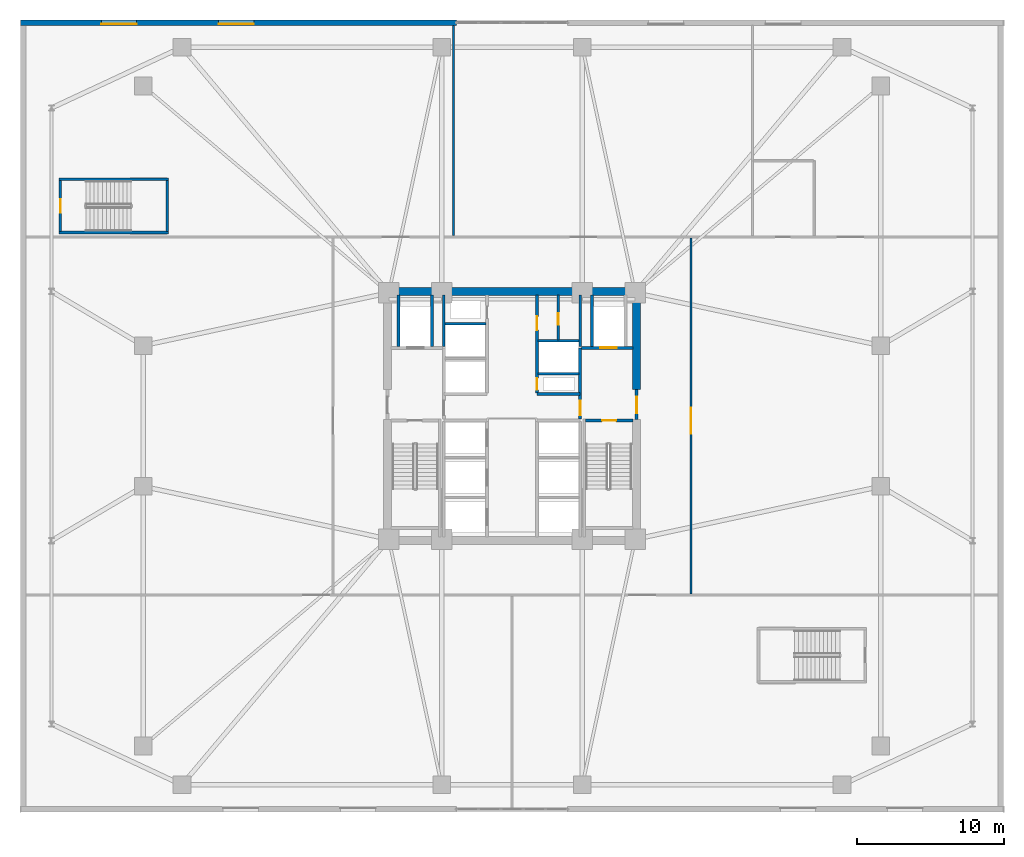
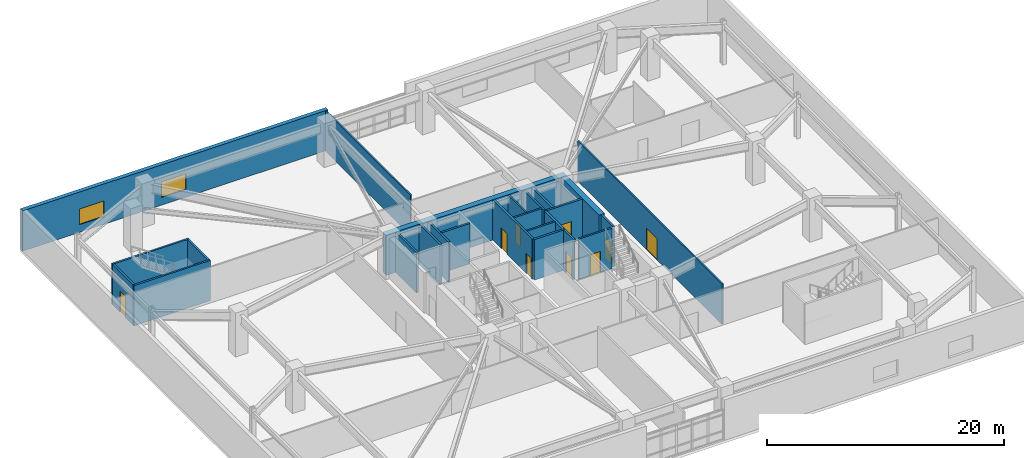
# One storey, part 13 of 21: 24 walls, 9 doors, 2 windows, 11 openings.
"""IFC4 building model written with IfcOpenShell, lengths in metres."""

from ifc_helpers import new_model, si_unit, direction, frame, frame_2d, origin, place, context, subcontext, project, spatial, rectangle, extrude, material, layer, layer_set, type_object, element, fill, save


model = new_model("IFC4")

# Units and contexts
model_context = context("Model", 3, precision=1e-05, world=origin(), true_north=direction((0.0, 1.0)))
body_context = subcontext(model_context, "Body", "Model", "MODEL_VIEW")
ifc_project = project(units=[si_unit("LENGTHUNIT", "METRE"), si_unit("AREAUNIT", "SQUARE_METRE"), si_unit("VOLUMEUNIT", "CUBIC_METRE"), si_unit("PLANEANGLEUNIT", "RADIAN"), si_unit("MASSUNIT", "GRAM", prefix="KILO")], contexts=[model_context])

# Site, building, storey
site_placement = place(None, origin())
site = spatial("IfcSite", under=ifc_project, at=site_placement, CompositionType="ELEMENT")
building_placement = place(site_placement, origin())
building = spatial("IfcBuilding", under=site, at=building_placement, Name="Cairnveth Concourse Tower", CompositionType="ELEMENT")
storey_placement = place(building_placement, frame((0.0, 0.0, 14.5)))
storey = spatial("IfcBuildingStorey", under=building, at=storey_placement, Name="L03", CompositionType="ELEMENT", Elevation=14.5)

# Wall, opening, door
ifc_material_1 = material(Name="Gypsum Plasterboard Partition", Category="gypsum")
ifc_layer_1 = layer(ifc_material_1, 0.159912109375)
ifc_layer_set_1 = layer_set([ifc_layer_1], Name="Gypsum Plasterboard Partition")
wall_type_1 = type_object("IfcWallType", Name="ACOUSTIC PARTY WALL 180", PredefinedType="PARTITIONING", material=ifc_layer_set_1)
wall_1_placement = place(storey_placement, frame((55.14990234375, 44.195068359375, 0.0), z_axis=(0.0, 0.0, 1.0), x_axis=(0.0, 1.0, 0.0)))
wall_1 = element("IfcWall", 1, at=wall_1_placement, inside=storey, type_object=wall_type_1, Name="Interior Wall IW-L03-037", PredefinedType="PARTITIONING", context=body_context, shape_type="SweptSolid", body=[
    extrude(rectangle(XDim=3.044921875, YDim=0.159912109375, at=frame_2d((1.5224609375, 0.0))), origin(), (0.0, 0.0, 1.0), 4.14990234375),
])
opening_1_placement = place(wall_1_placement, frame((1.02490234375, 0.0, 0.0)))
opening_1 = element("IfcOpeningElement", 2, at=opening_1_placement, cuts=wall_1, Name="Opening ID23", PredefinedType="OPENING", context=body_context, shape_type="SweptSolid", body=[
    extrude(rectangle(XDim=0.800048828125, YDim=2.10009765625, at=frame_2d((0.39990234375, 1.050048828125))), frame((0.0, 0.08984375, 0.0), z_axis=(0.0, -1.0, 0.0), x_axis=(1.0, 0.0, 0.0)), (0.0, 0.0, 1.0), 0.179931640625),
])
ifc_material_2 = material(Name="Steel Grade 350", Category="steel")
door_type_1 = type_object("IfcDoorType", Name="CORE SERVICE DOOR 800X2100", OperationType="NOTDEFINED", PredefinedType="DOOR", material=ifc_material_2)
door_1_placement = place(opening_1_placement, origin())
door_1 = element("IfcDoor", 3, at=door_1_placement, inside=storey, type_object=door_type_1, Name="NE Linen Closet Door L03", OperationType="SINGLE_SWING_LEFT", OverallHeight=2.10009765625, OverallWidth=0.800048828125, PredefinedType="DOOR", context=body_context, shape_type="SweptSolid", body=[
    extrude(rectangle(XDim=0.800048828125, YDim=2.10009765625, at=frame_2d((0.39990234375, 1.050048828125))), frame((0.0, 0.02490234375, 0.0), z_axis=(0.0, -1.0, 0.0), x_axis=(1.0, 0.0, 0.0)), (0.0, 0.0, 1.0), 0.050048828125),
])
fill(opening_1, door_1)

# Walls
ifc_material_3 = material(Name="Concrete N80 (80 MPa)", Category="concrete")
ifc_layer_2 = layer(ifc_material_3, 0.550048828125)
ifc_layer_set_2 = layer_set([ifc_layer_2], Name="Concrete N80 (80 MPa)")
wall_type_2 = type_object("IfcWallType", Name="CORE SHEAR WALL 550", PredefinedType="SHEAR", material=ifc_layer_set_2)
wall_2_placement = place(storey_placement, frame((43.22509765625, 47.5, 0.0), z_axis=(0.0, 0.0, 1.0), x_axis=(1.0, 0.0, 0.0)))
element("IfcWall", 4, at=wall_2_placement, inside=storey, type_object=wall_type_2, Name="Core North Shear Wall L03", PredefinedType="SHEAR", context=body_context, shape_type="SweptSolid", body=[
    extrude(rectangle(XDim=17.5498046875, YDim=0.550048828125, at=frame_2d((8.77490234375, 0.0))), origin(), (0.0, 0.0, 1.0), 4.14990234375),
])
wall_3_placement = place(storey_placement, frame((60.5, 40.800048828125, 0.0), z_axis=(0.0, 0.0, 1.0), x_axis=(0.0, 1.0, 0.0)))
element("IfcWall", 5, at=wall_3_placement, inside=storey, type_object=wall_type_2, Name="Core East Shear Wall N L03", PredefinedType="SHEAR", context=body_context, shape_type="SweptSolid", body=[
    extrude(rectangle(XDim=6.43505859375, YDim=0.550048828125, at=frame_2d((3.217529296875, 0.0))), origin(), (0.0, 0.0, 1.0), 4.14990234375),
])
ifc_material_4 = material(Name="Concrete N50 (50 MPa)", Category="concrete")
ifc_layer_3 = layer(ifc_material_4, 0.179931640625)
ifc_layer_set_3 = layer_set([ifc_layer_3], Name="Concrete N50 (50 MPa)")
wall_type_3 = type_object("IfcWallType", Name="FIRE SHAFT WALL 180", PredefinedType="SOLIDWALL", material=ifc_layer_set_3)
wall_4_placement = place(storey_placement, frame((47.35009765625, 43.735107421875, 0.0), z_axis=(0.0, 0.0, 1.0), x_axis=(0.0, 1.0, 0.0)))
element("IfcWall", 6, at=wall_4_placement, inside=storey, type_object=wall_type_3, Name="Interior Wall IW-L03-031", PredefinedType="SOLIDWALL", context=body_context, shape_type="SweptSolid", body=[
    extrude(rectangle(XDim=3.5048828125, YDim=0.179931640625, at=frame_2d((1.75244140625, 0.0))), origin(), (0.0, 0.0, 1.0), 4.14990234375),
])
wall_5_placement = place(storey_placement, frame((47.425048828125, 45.280029296875, 0.0), z_axis=(0.0, 0.0, 1.0), x_axis=(1.0, 0.0, 0.0)))
element("IfcWall", 7, at=wall_5_placement, inside=storey, type_object=wall_type_3, Name="Interior Wall IW-L03-033", PredefinedType="SOLIDWALL", context=body_context, shape_type="SweptSolid", body=[
    extrude(rectangle(XDim=2.7900390625, YDim=0.179931640625, at=frame_2d((1.39501953125, 0.0))), origin(), (0.0, 0.0, 1.0), 4.14990234375),
])
wall_6_placement = place(storey_placement, frame((56.64990234375, 43.735107421875, 0.0), z_axis=(0.0, 0.0, 1.0), x_axis=(0.0, 1.0, 0.0)))
element("IfcWall", 8, at=wall_6_placement, inside=storey, type_object=wall_type_3, Name="Interior Wall IW-L03-034", PredefinedType="SOLIDWALL", context=body_context, shape_type="SweptSolid", body=[
    extrude(rectangle(XDim=3.5048828125, YDim=0.179931640625, at=frame_2d((1.75244140625, 0.0))), origin(), (0.0, 0.0, 1.0), 4.14990234375),
])
wall_7_placement = place(storey_placement, frame((53.784912109375, 41.8798828125, 0.0), z_axis=(0.0, 0.0, 1.0), x_axis=(1.0, 0.0, 0.0)))
element("IfcWall", 9, at=wall_7_placement, inside=storey, type_object=wall_type_3, Name="Interior Wall IW-L03-035", PredefinedType="SOLIDWALL", context=body_context, shape_type="SweptSolid", body=[
    extrude(rectangle(XDim=2.780029296875, YDim=0.179931640625, at=frame_2d((1.39013671875, 0.0))), origin(), (0.0, 0.0, 1.0), 4.14990234375),
])
wall_8_placement = place(storey_placement, frame((53.784912109375, 44.1201171875, 0.0), z_axis=(0.0, 0.0, 1.0), x_axis=(1.0, 0.0, 0.0)))
element("IfcWall", 10, at=wall_8_placement, inside=storey, type_object=wall_type_3, Name="Interior Wall IW-L03-036", PredefinedType="SOLIDWALL", context=body_context, shape_type="SweptSolid", body=[
    extrude(rectangle(XDim=2.7900390625, YDim=0.179931640625, at=frame_2d((1.39501953125, 0.0))), origin(), (0.0, 0.0, 1.0), 4.14990234375),
])

# Wall, opening, door
wall_9_placement = place(storey_placement, frame((57.0048828125, 38.68994140625, 0.0), z_axis=(0.0, 0.0, 1.0), x_axis=(1.0, 0.0, 0.0)))
wall_9 = element("IfcWall", 11, at=wall_9_placement, inside=storey, type_object=wall_type_3, Name="Stair ST-2 Shaft Wall NEAR L03", PredefinedType="SOLIDWALL", context=body_context, shape_type="SweptSolid", body=[
    extrude(rectangle(XDim=3.230224609375, YDim=0.179931640625, at=frame_2d((1.615234375, 0.0))), origin(), (0.0, 0.0, 1.0), 4.14990234375),
])
opening_2_placement = place(wall_9_placement, frame((1.139892578125, 0.0, 0.0)))
opening_2 = element("IfcOpeningElement", 12, at=opening_2_placement, cuts=wall_9, Name="Opening ID12", PredefinedType="OPENING", context=body_context, shape_type="SweptSolid", body=[
    extrude(rectangle(XDim=0.949951171875, YDim=2.14990234375, at=frame_2d((0.47509765625, 1.074951171875))), frame((0.0, 0.099853515625, 0.0), z_axis=(0.0, -1.0, 0.0), x_axis=(1.0, 0.0, 0.0)), (0.0, 0.0, 1.0), 0.199951171875),
])
door_type_2 = type_object("IfcDoorType", Name="FIRE STAIR DOOR 950X2150", OperationType="NOTDEFINED", PredefinedType="DOOR", material=ifc_material_2)
door_2_placement = place(opening_2_placement, origin())
door_2 = element("IfcDoor", 13, at=door_2_placement, inside=storey, type_object=door_type_2, Name="Stair ST-2 Fire Door L03", OperationType="SINGLE_SWING_RIGHT", OverallHeight=2.14990234375, OverallWidth=0.949951171875, PredefinedType="DOOR", context=body_context, shape_type="SweptSolid", body=[
    extrude(rectangle(XDim=0.949951171875, YDim=2.14990234375, at=frame_2d((0.47509765625, 1.074951171875))), frame((0.0, 0.02490234375, 0.0), z_axis=(0.0, -1.0, 0.0), x_axis=(1.0, 0.0, 0.0)), (0.0, 0.0, 1.0), 0.050048828125),
])
fill(opening_2, door_2)

wall_10_placement = place(storey_placement, frame((21.2099609375, 51.5849609375, 0.0), z_axis=(0.0, 0.0, 1.0), x_axis=(0.0, 1.0, 0.0)))
wall_10 = element("IfcWall", 14, at=wall_10_placement, inside=storey, type_object=wall_type_3, Name="Stair ST-P1 Shaft Wall NEAR L03", PredefinedType="SOLIDWALL", context=body_context, shape_type="SweptSolid", body=[
    extrude(rectangle(XDim=3.469970703125, YDim=0.179931640625, at=frame_2d((1.73486328125, 0.0))), origin(), (0.0, 0.0, 1.0), 4.14990234375),
])
opening_3_placement = place(wall_10_placement, frame((1.260009765625, 0.0, 0.0)))
opening_3 = element("IfcOpeningElement", 15, at=opening_3_placement, cuts=wall_10, Name="Opening ID12", PredefinedType="OPENING", context=body_context, shape_type="SweptSolid", body=[
    extrude(rectangle(XDim=0.949951171875, YDim=2.14990234375, at=frame_2d((0.47509765625, 1.074951171875))), frame((0.0, 0.099853515625, 0.0), z_axis=(0.0, -1.0, 0.0), x_axis=(1.0, 0.0, 0.0)), (0.0, 0.0, 1.0), 0.199951171875),
])
door_3_placement = place(opening_3_placement, origin())
door_3 = element("IfcDoor", 16, at=door_3_placement, inside=storey, type_object=door_type_2, Name="Stair ST-P1 Fire Door L03", OperationType="SINGLE_SWING_LEFT", OverallHeight=2.14990234375, OverallWidth=0.949951171875, PredefinedType="DOOR", context=body_context, shape_type="SweptSolid", body=[
    extrude(rectangle(XDim=0.949951171875, YDim=2.14990234375, at=frame_2d((0.47509765625, 1.074951171875))), frame((0.0, 0.02490234375, 0.0), z_axis=(0.0, -1.0, 0.0), x_axis=(1.0, 0.0, 0.0)), (0.0, 0.0, 1.0), 0.050048828125),
])
fill(opening_3, door_3)

# Walls
wall_11_placement = place(storey_placement, frame((28.489990234375, 51.5849609375, 0.0), z_axis=(0.0, 0.0, 1.0), x_axis=(0.0, 1.0, 0.0)))
element("IfcWall", 17, at=wall_11_placement, inside=storey, type_object=wall_type_3, Name="Stair ST-P1 Shaft Wall FAR L03", PredefinedType="SOLIDWALL", context=body_context, shape_type="SweptSolid", body=[
    extrude(rectangle(XDim=3.469970703125, YDim=0.179931640625, at=frame_2d((1.73486328125, 0.0))), origin(), (0.0, 0.0, 1.0), 4.14990234375),
])
for number, where, z_axis, x_axis, name in (
    (18, (21.1201171875, 51.510009765625, 0.0), (0.0, 0.0, 1.0), (1.0, 0.0, 0.0), "Stair ST-P1 Shaft Wall LEFT L03"),
    (19, (21.1201171875, 55.1298828125, 0.0), (0.0, 0.0, 1.0), (1.0, 0.0, 0.0), "Stair ST-P1 Shaft Wall RGHT L03"),
):
    element("IfcWall", number, at=place(storey_placement, frame(where, z_axis=z_axis, x_axis=x_axis)), inside=storey, type_object=wall_type_3, Name=name, PredefinedType="SOLIDWALL", context=body_context, shape_type="SweptSolid", body=[
        extrude(rectangle(XDim=7.4599609375, YDim=0.179931640625, at=frame_2d((3.72998046875, 0.0))), origin(), (0.0, 0.0, 1.0), 4.14990234375),
    ])
ifc_layer_4 = layer(ifc_material_4, 0.199951171875)
ifc_layer_set_4 = layer_set([ifc_layer_4], Name="Concrete N50 (50 MPa)")
wall_type_4 = type_object("IfcWallType", Name="FIRE SHAFT WALL 200", PredefinedType="SOLIDWALL", material=ifc_layer_set_4)
wall_12_placement = place(storey_placement, frame((53.699951171875, 40.5, 0.0), z_axis=(0.0, 0.0, 1.0), x_axis=(1.0, 0.0, 0.0)))
element("IfcWall", 20, at=wall_12_placement, inside=storey, type_object=wall_type_4, Name="Interior Wall IW-L03-010", PredefinedType="SOLIDWALL", context=body_context, shape_type="SweptSolid", body=[
    extrude(rectangle(XDim=2.949951171875, YDim=0.199951171875, at=frame_2d((1.47509765625, 0.0))), origin(), (0.0, 0.0, 1.0), 4.14990234375),
])

# Wall, openings, doors
wall_13_placement = place(storey_placement, frame((53.699951171875, 40.5849609375, 0.0), z_axis=(0.0, 0.0, 1.0), x_axis=(0.0, 1.0, 0.0)))
wall_13 = element("IfcWall", 21, at=wall_13_placement, inside=storey, type_object=wall_type_4, Name="Interior Wall IW-L03-014", PredefinedType="SOLIDWALL", context=body_context, shape_type="SweptSolid", body=[
    extrude(rectangle(XDim=6.655029296875, YDim=0.199951171875, at=frame_2d((3.32763671875, 0.0))), origin(), (0.0, 0.0, 1.0), 4.14990234375),
])
opening_4_placement = place(wall_13_placement, frame((0.195068359375, 0.0, 0.0)))
opening_4 = element("IfcOpeningElement", 22, at=opening_4_placement, cuts=wall_13, Name="Opening ID24", PredefinedType="OPENING", context=body_context, shape_type="SweptSolid", body=[
    extrude(rectangle(XDim=0.800048828125, YDim=2.080078125, at=frame_2d((0.39990234375, 1.0400390625))), frame((0.0, 0.10986328125, 0.0), z_axis=(0.0, -1.0, 0.0), x_axis=(1.0, 0.0, 0.0)), (0.0, 0.0, 1.0), 0.219970703125),
])
opening_5_placement = place(wall_13_placement, frame((4.264892578125, 0.0, 0.0)))
opening_5 = element("IfcOpeningElement", 23, at=opening_5_placement, cuts=wall_13, Name="Opening ID25", PredefinedType="OPENING", context=body_context, shape_type="SweptSolid", body=[
    extrude(rectangle(XDim=0.949951171875, YDim=2.1201171875, at=frame_2d((0.47509765625, 1.06005859375))), frame((0.0, 0.10986328125, 0.0), z_axis=(0.0, -1.0, 0.0), x_axis=(1.0, 0.0, 0.0)), (0.0, 0.0, 1.0), 0.219970703125),
])
door_type_3 = type_object("IfcDoorType", Name="CORE ACCESSIBLE FIRE DOOR 950X2120", OperationType="NOTDEFINED", PredefinedType="DOOR", material=ifc_material_2)
door_4_placement = place(opening_5_placement, origin())
door_4 = element("IfcDoor", 24, at=door_4_placement, inside=storey, type_object=door_type_3, Name="Core NE Restroom Door L03", OperationType="SINGLE_SWING_RIGHT", OverallHeight=2.1201171875, OverallWidth=0.949951171875, PredefinedType="DOOR", context=body_context, shape_type="SweptSolid", body=[
    extrude(rectangle(XDim=0.949951171875, YDim=2.1201171875, at=frame_2d((0.47509765625, 1.06005859375))), frame((0.0, 0.02490234375, 0.0), z_axis=(0.0, -1.0, 0.0), x_axis=(1.0, 0.0, 0.0)), (0.0, 0.0, 1.0), 0.050048828125),
])
fill(opening_5, door_4)
door_type_4 = type_object("IfcDoorType", Name="RISER ACCESS DOOR 800X2100", OperationType="NOTDEFINED", PredefinedType="DOOR", material=ifc_material_2)
door_5_placement = place(opening_4_placement, origin())
door_5 = element("IfcDoor", 25, at=door_5_placement, inside=storey, type_object=door_type_4, Name="Hydraulic Riser Door L03", OperationType="SINGLE_SWING_LEFT", OverallHeight=2.080078125, OverallWidth=0.800048828125, PredefinedType="DOOR", context=body_context, shape_type="SweptSolid", body=[
    extrude(rectangle(XDim=0.800048828125, YDim=2.080078125, at=frame_2d((0.39990234375, 1.0400390625))), frame((0.0, 0.02490234375, 0.0), z_axis=(0.0, -1.0, 0.0), x_axis=(1.0, 0.0, 0.0)), (0.0, 0.0, 1.0), 0.050048828125),
])
fill(opening_4, door_5)

# Walls
for number, where, z_axis, x_axis, name in (
    (26, (46.550048828125, 43.735107421875, 0.0), (0.0, 0.0, 1.0), (0.0, 1.0, 0.0), "Interior Wall IW-L03-018"),
    (27, (44.25, 43.735107421875, 0.0), (0.0, 0.0, 1.0), (0.0, 1.0, 0.0), "Interior Wall IW-L03-019"),
):
    element("IfcWall", number, at=place(storey_placement, frame(where, z_axis=z_axis, x_axis=x_axis)), inside=storey, type_object=wall_type_4, Name=name, PredefinedType="SOLIDWALL", context=body_context, shape_type="SweptSolid", body=[
        extrude(rectangle(XDim=3.5048828125, YDim=0.199951171875, at=frame_2d((1.75244140625, 0.0))), origin(), (0.0, 0.0, 1.0), 4.14990234375),
    ])

# Wall, opening, door
wall_14_placement = place(storey_placement, frame((60.5, 38.75, 0.0), z_axis=(0.0, 0.0, 1.0), x_axis=(0.0, 1.0, 0.0)))
wall_14 = element("IfcWall", 28, at=wall_14_placement, inside=storey, type_object=wall_type_4, Name="Interior Wall IW-L03-020", PredefinedType="SOLIDWALL", context=body_context, shape_type="SweptSolid", body=[
    extrude(rectangle(XDim=2.050048828125, YDim=0.199951171875, at=frame_2d((1.02490234375, 0.0))), origin(), (0.0, 0.0, 1.0), 4.14990234375),
])
opening_6_placement = place(wall_14_placement, frame((0.449951171875, 0.0, 0.0)))
opening_6 = element("IfcOpeningElement", 29, at=opening_6_placement, cuts=wall_14, Name="Opening ID06", PredefinedType="OPENING", context=body_context, shape_type="SweptSolid", body=[
    extrude(rectangle(XDim=1.10009765625, YDim=2.14990234375, at=frame_2d((0.550048828125, 1.074951171875))), frame((0.0, 0.10986328125, 0.0), z_axis=(0.0, -1.0, 0.0), x_axis=(1.0, 0.0, 0.0)), (0.0, 0.0, 1.0), 0.219970703125),
])
door_type_5 = type_object("IfcDoorType", Name="FIRE CORRIDOR DOOR 1100X2150", OperationType="NOTDEFINED", PredefinedType="DOOR", material=ifc_material_2)
door_6_placement = place(opening_6_placement, origin())
door_6 = element("IfcDoor", 30, at=door_6_placement, inside=storey, type_object=door_type_5, Name="East Wing to FF Lobby Door L03", OperationType="SINGLE_SWING_RIGHT", OverallHeight=2.14990234375, OverallWidth=1.10009765625, PredefinedType="DOOR", context=body_context, shape_type="SweptSolid", body=[
    extrude(rectangle(XDim=1.10009765625, YDim=2.14990234375, at=frame_2d((0.550048828125, 1.074951171875))), frame((0.0, 0.02490234375, 0.0), z_axis=(0.0, -1.0, 0.0), x_axis=(1.0, 0.0, 0.0)), (0.0, 0.0, 1.0), 0.050048828125),
])
fill(opening_6, door_6)

wall_15_placement = place(storey_placement, frame((56.64990234375, 38.784912109375, 0.0), z_axis=(0.0, 0.0, 1.0), x_axis=(0.0, 1.0, 0.0)))
wall_15 = element("IfcWall", 31, at=wall_15_placement, inside=storey, type_object=wall_type_4, Name="Interior Wall IW-L03-021", PredefinedType="SOLIDWALL", context=body_context, shape_type="SweptSolid", body=[
    extrude(rectangle(XDim=4.864990234375, YDim=0.199951171875, at=frame_2d((2.4326171875, 0.0))), origin(), (0.0, 0.0, 1.0), 4.14990234375),
])
opening_7_placement = place(wall_15_placement, frame((0.264892578125, 0.0, 0.0)))
opening_7 = element("IfcOpeningElement", 32, at=opening_7_placement, cuts=wall_15, Name="Opening ID07", PredefinedType="OPENING", context=body_context, shape_type="SweptSolid", body=[
    extrude(rectangle(XDim=1.0, YDim=2.14990234375, at=frame_2d((0.5, 1.074951171875))), frame((0.0, 0.10986328125, 0.0), z_axis=(0.0, -1.0, 0.0), x_axis=(1.0, 0.0, 0.0)), (0.0, 0.0, 1.0), 0.219970703125),
])
door_type_6 = type_object("IfcDoorType", Name="FIRE CORRIDOR DOOR 1000X2150", OperationType="NOTDEFINED", PredefinedType="DOOR", material=ifc_material_2)
door_7_placement = place(opening_7_placement, origin())
door_7 = element("IfcDoor", 33, at=door_7_placement, inside=storey, type_object=door_type_6, Name="FF Lobby East to Lift Lobby Door L03", OperationType="SINGLE_SWING_LEFT", OverallHeight=2.14990234375, OverallWidth=1.0, PredefinedType="DOOR", context=body_context, shape_type="SweptSolid", body=[
    extrude(rectangle(XDim=1.0, YDim=2.14990234375, at=frame_2d((0.5, 1.074951171875))), frame((0.0, 0.02490234375, 0.0), z_axis=(0.0, -1.0, 0.0), x_axis=(1.0, 0.0, 0.0)), (0.0, 0.0, 1.0), 0.050048828125),
])
fill(opening_7, door_7)

wall_16_placement = place(storey_placement, frame((56.735107421875, 43.64990234375, 0.0), z_axis=(0.0, 0.0, 1.0), x_axis=(1.0, 0.0, 0.0)))
wall_16 = element("IfcWall", 34, at=wall_16_placement, inside=storey, type_object=wall_type_4, Name="Interior Wall IW-L03-022", PredefinedType="SOLIDWALL", context=body_context, shape_type="SweptSolid", body=[
    extrude(rectangle(XDim=3.5048828125, YDim=0.199951171875, at=frame_2d((1.75244140625, 0.0))), origin(), (0.0, 0.0, 1.0), 4.14990234375),
])
opening_8_placement = place(wall_16_placement, frame((1.294921875, 0.0, 0.0)))
opening_8 = element("IfcOpeningElement", 35, at=opening_8_placement, cuts=wall_16, Name="Opening LD-1", PredefinedType="OPENING", context=body_context, shape_type="SweptSolid", body=[
    extrude(rectangle(XDim=1.10009765625, YDim=2.199951171875, at=frame_2d((0.550048828125, 1.10009765625))), frame((0.0, 0.10986328125, 0.0), z_axis=(0.0, -1.0, 0.0), x_axis=(1.0, 0.0, 0.0)), (0.0, 0.0, 1.0), 0.219970703125),
])
ifc_material_5 = material(Name="Architectural Bronze Anodised Aluminium 6063-T6", Category="aluminium")
door_type_7 = type_object("IfcDoorType", Name="LIFT LANDING DOOR 1100X2200", OperationType="SLIDING_TO_LEFT", PredefinedType="DOOR", material=ifc_material_5)
door_8_placement = place(opening_8_placement, origin())
door_8 = element("IfcDoor", 36, at=door_8_placement, inside=storey, type_object=door_type_7, Name="Lift FFL2 Landing Door L03", OperationType="SLIDING_TO_LEFT", OverallHeight=2.199951171875, OverallWidth=1.10009765625, PredefinedType="DOOR", context=body_context, shape_type="SweptSolid", body=[
    extrude(rectangle(XDim=1.10009765625, YDim=2.199951171875, at=frame_2d((0.550048828125, 1.10009765625))), frame((0.0, 0.02490234375, 0.0), z_axis=(0.0, -1.0, 0.0), x_axis=(1.0, 0.0, 0.0)), (0.0, 0.0, 1.0), 0.050048828125),
])
fill(opening_8, door_8)

# Wall
wall_17_placement = place(storey_placement, frame((57.449951171875, 43.735107421875, 0.0), z_axis=(0.0, 0.0, 1.0), x_axis=(0.0, 1.0, 0.0)))
element("IfcWall", 37, at=wall_17_placement, inside=storey, type_object=wall_type_4, Name="Interior Wall IW-L03-023", PredefinedType="SOLIDWALL", context=body_context, shape_type="SweptSolid", body=[
    extrude(rectangle(XDim=3.5048828125, YDim=0.199951171875, at=frame_2d((1.75244140625, 0.0))), origin(), (0.0, 0.0, 1.0), 4.14990234375),
])

# Wall, opening, door
ifc_layer_5 = layer(ifc_material_1, 0.139892578125)
ifc_layer_set_5 = layer_set([ifc_layer_5], Name="Gypsum Plasterboard Partition")
wall_type_5 = type_object("IfcWallType", Name="GYPSUM STUD PARTITION 140", PredefinedType="PARTITIONING", material=ifc_layer_set_5)
wall_18_placement = place(storey_placement, frame((64.199951171875, 26.85498046875, 0.0), z_axis=(0.0, 0.0, 1.0), x_axis=(0.0, 1.0, 0.0)))
wall_18 = element("IfcWall", 38, at=wall_18_placement, inside=storey, type_object=wall_type_5, Name="Interior Wall IW-L03-041", PredefinedType="PARTITIONING", context=body_context, shape_type="SweptSolid", body=[
    extrude(rectangle(XDim=24.2900390625, YDim=0.139892578125, at=frame_2d((12.14501953125, 0.0))), origin(), (0.0, 0.0, 1.0), 4.14990234375),
])
opening_9_placement = place(wall_18_placement, frame((10.945068359375, 0.0, 0.0)))
opening_9 = element("IfcOpeningElement", 39, at=opening_9_placement, cuts=wall_18, Name="Opening ID27", PredefinedType="OPENING", context=body_context, shape_type="SweptSolid", body=[
    extrude(rectangle(XDim=1.760009765625, YDim=2.199951171875, at=frame_2d((0.8798828125, 1.10009765625))), frame((0.0, 0.079833984375, 0.0), z_axis=(0.0, -1.0, 0.0), x_axis=(1.0, 0.0, 0.0)), (0.0, 0.0, 1.0), 0.159912109375),
])
ifc_material_6 = material(Name="Solid Core Hardwood Timber Leaf", Category="wood")
door_type_8 = type_object("IfcDoorType", Name="CONCOURSE DOUBLE DOOR 1760X2200", OperationType="DOUBLE_DOOR_SINGLE_SWING", PredefinedType="DOOR", material=ifc_material_6)
door_9_placement = place(opening_9_placement, origin())
door_9 = element("IfcDoor", 40, at=door_9_placement, inside=storey, type_object=door_type_8, Name="Interior Door DR-L03-021", OperationType="DOUBLE_DOOR_SINGLE_SWING", OverallHeight=2.199951171875, OverallWidth=1.760009765625, PredefinedType="DOOR", context=body_context, shape_type="SweptSolid", body=[
    extrude(rectangle(XDim=1.760009765625, YDim=2.199951171875, at=frame_2d((0.8798828125, 1.10009765625))), frame((0.0, 0.02490234375, 0.0), z_axis=(0.0, -1.0, 0.0), x_axis=(1.0, 0.0, 0.0)), (0.0, 0.0, 1.0), 0.050048828125),
])
fill(opening_9, door_9)

# Wall
wall_19_placement = place(storey_placement, frame((48.0, 51.300048828125, 0.0), z_axis=(0.0, 0.0, 1.0), x_axis=(0.0, 1.0, 0.0)))
element("IfcWall", 41, at=wall_19_placement, inside=storey, type_object=wall_type_5, Name="Interior Wall IW-L03-043", PredefinedType="PARTITIONING", context=body_context, shape_type="SweptSolid", body=[
    extrude(rectangle(XDim=14.3349609375, YDim=0.139892578125, at=frame_2d((7.16748046875, 0.0))), origin(), (0.0, 0.0, 1.0), 4.14990234375),
])

# Wall, openings, windows
ifc_material_7 = material(Name="Hawthorn Red-Ochre Fired Clay Brick Masonry", Category="masonry")
ifc_layer_6 = layer(ifc_material_7, 0.3798828125)
ifc_layer_set_6 = layer_set([ifc_layer_6], Name="Hawthorn Red-Ochre Fired Clay Brick Masonry")
wall_type_6 = type_object("IfcWallType", Name="UPPER PODIUM BRICK WALL 380", PredefinedType="SOLIDWALL", material=ifc_layer_set_6)
wall_20_placement = place(storey_placement, frame((18.5, 65.81005859375, 0.0), z_axis=(0.0, 0.0, 1.0), x_axis=(1.0, 0.0, 0.0)))
wall_20 = element("IfcWall", 42, at=wall_20_placement, inside=storey, type_object=wall_type_6, Name="Exterior Wall EW-L03-NW", PredefinedType="SOLIDWALL", context=body_context, shape_type="SweptSolid", body=[
    extrude(rectangle(XDim=29.699951171875, YDim=0.3798828125, at=frame_2d((14.85009765625, 0.0))), origin(), (0.0, 0.0, 1.0), 4.14990234375),
])
opening_10_placement = place(wall_20_placement, frame((5.5, 0.0, 0.800048828125)))
opening_10 = element("IfcOpeningElement", 43, at=opening_10_placement, cuts=wall_20, Name="Opening W11", PredefinedType="OPENING", context=body_context, shape_type="SweptSolid", body=[
    extrude(rectangle(XDim=2.39990234375, YDim=1.60009765625, at=frame_2d((1.199951171875, 0.800048828125))), frame((0.0, 0.199951171875, 0.0), z_axis=(0.0, -1.0, 0.0), x_axis=(1.0, 0.0, 0.0)), (0.0, 0.0, 1.0), 0.39990234375),
])
opening_11_placement = place(wall_20_placement, frame((13.5, 0.0, 0.800048828125)))
opening_11 = element("IfcOpeningElement", 44, at=opening_11_placement, cuts=wall_20, Name="Opening W11", PredefinedType="OPENING", context=body_context, shape_type="SweptSolid", body=[
    extrude(rectangle(XDim=2.39990234375, YDim=1.60009765625, at=frame_2d((1.199951171875, 0.800048828125))), frame((0.0, 0.199951171875, 0.0), z_axis=(0.0, -1.0, 0.0), x_axis=(1.0, 0.0, 0.0)), (0.0, 0.0, 1.0), 0.39990234375),
])
ifc_material_8 = material(Name="Double Glazed Low-E Clear Glass", Category="glass")
window_type = type_object("IfcWindowType", Name="DEEP-SET PODIUM CLERESTORY WINDOW 2400X1600", PartitioningType="DOUBLE_PANEL_VERTICAL", PredefinedType="WINDOW", material=ifc_material_8)
window_1_placement = place(opening_10_placement, origin())
window_1 = element("IfcWindow", 45, at=window_1_placement, inside=storey, type_object=window_type, Name="WIN-L03-NW-1", OverallHeight=1.60009765625, OverallWidth=2.39990234375, PartitioningType="SINGLE_PANEL", PredefinedType="WINDOW", context=body_context, shape_type="SweptSolid", body=[
    extrude(rectangle(XDim=2.39990234375, YDim=1.60009765625, at=frame_2d((1.199951171875, 0.800048828125))), frame((0.0, -0.050048828125, 0.0), z_axis=(0.0, -1.0, 0.0), x_axis=(1.0, 0.0, 0.0)), (0.0, 0.0, 1.0), 0.06005859375),
])
fill(opening_10, window_1)
window_2_placement = place(opening_11_placement, origin())
window_2 = element("IfcWindow", 46, at=window_2_placement, inside=storey, type_object=window_type, Name="WIN-L03-NW-2", OverallHeight=1.60009765625, OverallWidth=2.39990234375, PartitioningType="SINGLE_PANEL", PredefinedType="WINDOW", context=body_context, shape_type="SweptSolid", body=[
    extrude(rectangle(XDim=2.39990234375, YDim=1.60009765625, at=frame_2d((1.199951171875, 0.800048828125))), frame((0.0, -0.050048828125, 0.0), z_axis=(0.0, -1.0, 0.0), x_axis=(1.0, 0.0, 0.0)), (0.0, 0.0, 1.0), 0.06005859375),
])
fill(opening_11, window_2)

save(model, "model.ifc")
